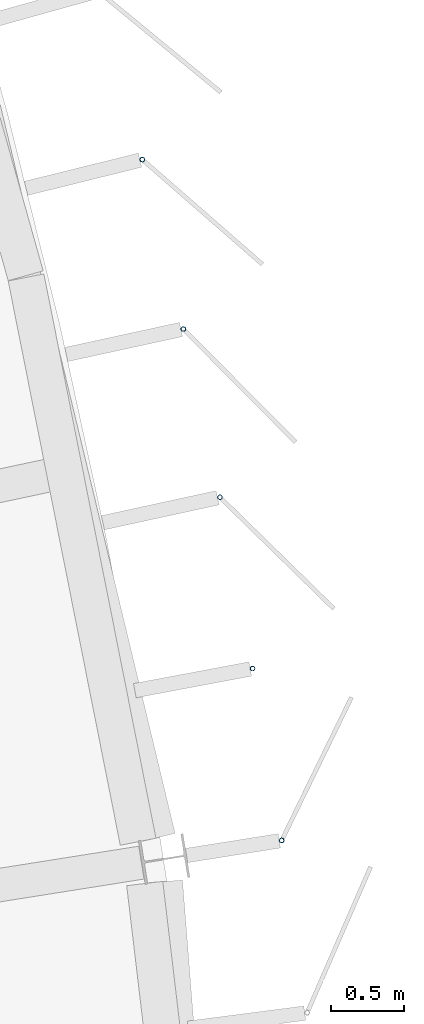
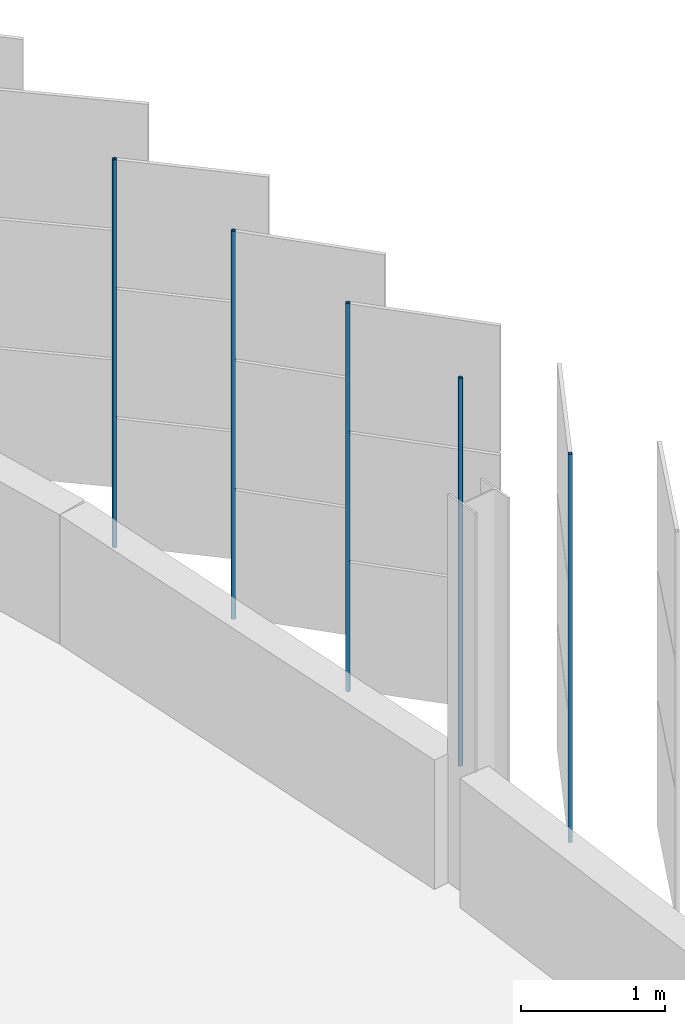
# One storey, part 138 of 214: 5 discrete accessories.
"""IFC4 building model written with IfcOpenShell, lengths in metres."""

from ifc_helpers import new_model, si_unit, direction, frame, origin, origin_2d, place, context, subcontext, project, spatial, hollow_circle, extrude, material, material_profile, profile_set, type_object, element, save


model = new_model("IFC4")

# Units and contexts
model_context = context("Model", 3, precision=1e-05, world=origin(), true_north=direction((0.0, 1.0)))
body_context = subcontext(model_context, "Body", "Model", "MODEL_VIEW")
ifc_project = project(units=[si_unit("LENGTHUNIT", "METRE"), si_unit("AREAUNIT", "SQUARE_METRE"), si_unit("VOLUMEUNIT", "CUBIC_METRE"), si_unit("PLANEANGLEUNIT", "RADIAN"), si_unit("MASSUNIT", "GRAM", prefix="KILO")], contexts=[model_context])

# Site, building, storey
site_placement = place(None, origin())
site = spatial("IfcSite", under=ifc_project, at=site_placement, CompositionType="ELEMENT")
building_placement = place(site_placement, origin())
building = spatial("IfcBuilding", under=site, at=building_placement, Name="Parallax Yard Mobility Hub", CompositionType="ELEMENT")
storey_placement = place(building_placement, frame((0.0, 0.0, 3.300048828125)))
storey = spatial("IfcBuildingStorey", under=building, at=storey_placement, Name="L01", CompositionType="ELEMENT", Elevation=3.300048828125)

# Discrete accessories
ifc_material = material(Name="Steel ASTM A500 Gr C, hot-dip galvanised", Category="steel")
ifc_material_profile = material_profile(ifc_material, hollow_circle(Radius=0.016845703125, WallThickness=0.003173828125, at=origin_2d()), Name="CHS 33.7x3.2")
ifc_profile_set = profile_set([ifc_material_profile], Name="Steel ASTM A500 Gr C, hot-dip galvanised")
discrete_accessory_type = type_object("IfcDiscreteAccessoryType", Name="Hinge post CHS 33.7x3.2", PredefinedType="BRACKET", material=ifc_profile_set)
for number, where, z_axis, x_axis, name in (
    (1, (225.162109375, 98.3408203125, 0.0), (0.0, 0.0, 1.0), (1.0, 0.0, 0.0), "Hinge post bay 42.1 level L01"),
    (2, (224.9619140625, 99.523681640625, 0.0), (0.0, 0.0, 1.0), (1.0, 0.0, 0.0), "Hinge post bay 42.2 level L01"),
    (3, (224.7373046875, 100.7021484375, 0.0), (0.0, 0.0, 1.0), (1.0, 0.0, 0.0), "Hinge post bay 42.3 level L01"),
    (4, (224.485595703125, 101.860107421875, 0.0), (0.0, 0.0, 1.0), (1.0, 0.0, 0.0), "Hinge post bay 42.4 level L01"),
    (5, (224.203125, 103.026123046875, 0.0), (0.0, 0.0, 1.0), (1.0, 0.0, 0.0), "Hinge post bay 42.5 level L01"),
):
    element("IfcDiscreteAccessory", number, at=place(storey_placement, frame(where, z_axis=z_axis, x_axis=x_axis)), inside=storey, type_object=discrete_accessory_type, Name=name, PredefinedType="BRACKET", context=body_context, shape_type="SweptSolid", body=[
        extrude(hollow_circle(Radius=0.016845703125, WallThickness=0.003173828125, at=origin_2d()), origin(), (0.0, 0.0, 1.0), 3.300048828125),
    ])

save(model, "model.ifc")
